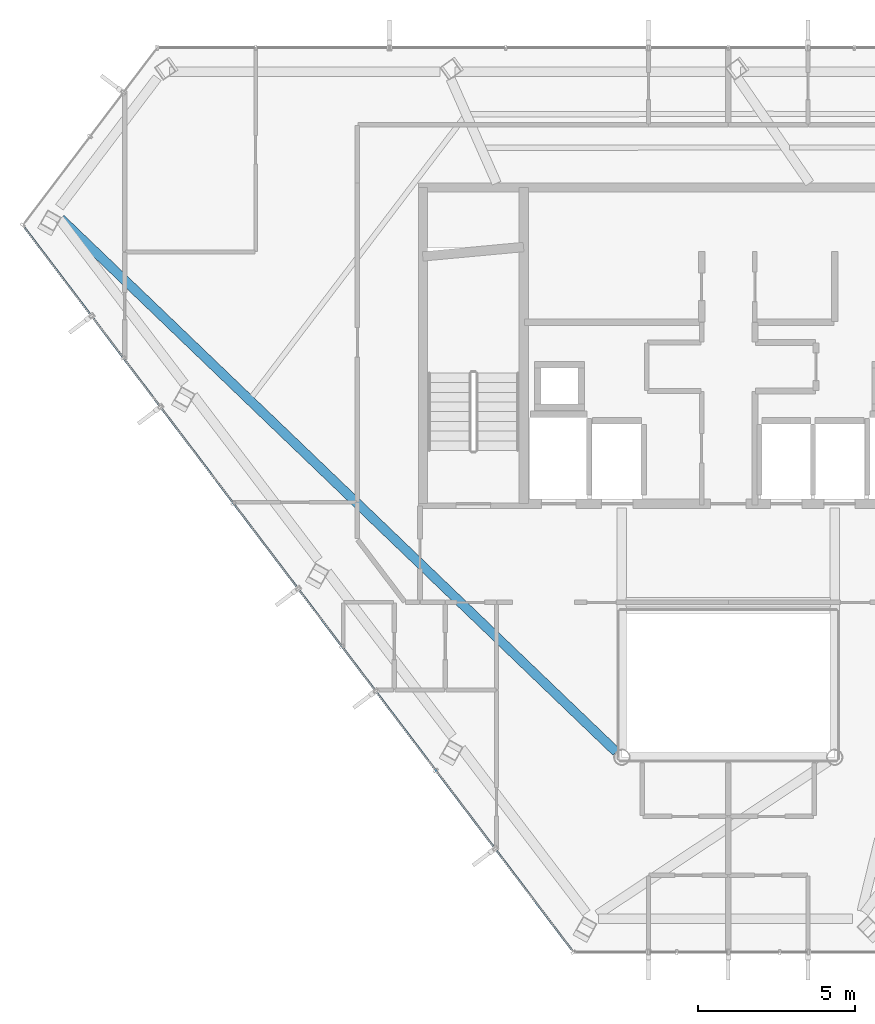
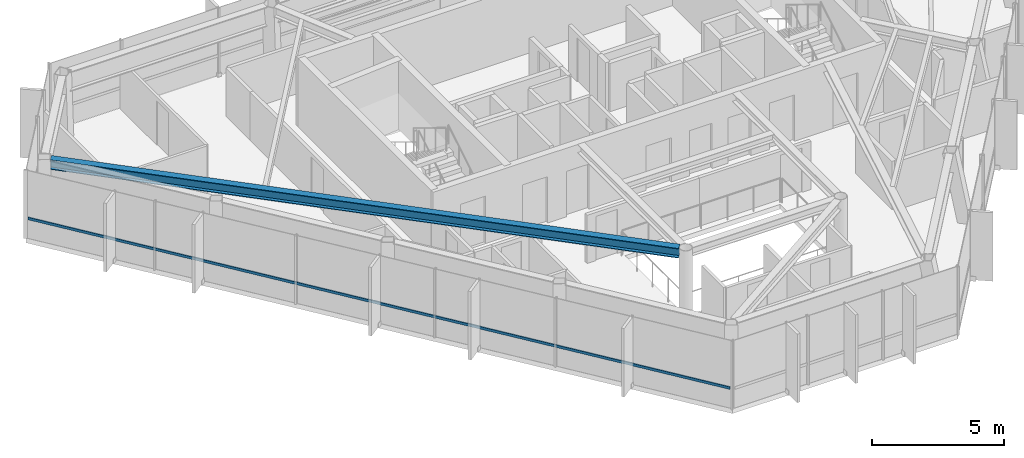
# One storey, part 4 of 26: 1 beam, 1 member, 1 element without a shape of its own.
"""IFC4 building model written with IfcOpenShell, lengths in metres."""

from ifc_helpers import new_model, si_unit, direction, frame, origin, origin_2d, place, context, subcontext, project, spatial, hollow_rectangle, i_section, extrude, material, layer, layer_set, material_profile, profile_set, type_object, element, aggregate, save


model = new_model("IFC4")

# Units and contexts
model_context = context("Model", 3, precision=1e-05, world=origin(), true_north=direction((0.0, 1.0)))
body_context = subcontext(model_context, "Body", "Model", "MODEL_VIEW")
ifc_project = project(units=[si_unit("LENGTHUNIT", "METRE"), si_unit("AREAUNIT", "SQUARE_METRE"), si_unit("VOLUMEUNIT", "CUBIC_METRE"), si_unit("PLANEANGLEUNIT", "RADIAN"), si_unit("MASSUNIT", "GRAM", prefix="KILO")], contexts=[model_context])

# Site, building, storey
site_placement = place(None, origin())
site = spatial("IfcSite", under=ifc_project, at=site_placement, CompositionType="ELEMENT")
building_placement = place(site_placement, origin())
building = spatial("IfcBuilding", under=site, at=building_placement, Name="Zarrinselat Tower", CompositionType="ELEMENT")
storey_placement = place(building_placement, frame((0.0, 0.0, 265.199951171875)))
storey = spatial("IfcBuildingStorey", under=building, at=storey_placement, Name="L67", CompositionType="ELEMENT", Elevation=265.199951171875)

# Beam
ifc_material_1 = material(Name="Steel S355J2", Category="steel")
ifc_material_profile_1 = material_profile(ifc_material_1, i_section(OverallWidth=0.300048828125, OverallDepth=0.449951171875, WebThickness=0.013916015625, FlangeThickness=0.02587890625, at=origin_2d()), Name="HEB 450")
ifc_profile_set_1 = profile_set([ifc_material_profile_1], Name="Steel S355J2")
beam_type = type_object("IfcBeamType", Name="BM-HEB450", PredefinedType="BEAM", material=ifc_profile_set_1)
beam_placement = place(storey_placement, frame((17.072509765625, 42.40771484375, 2.955078125), z_axis=(0.72143848732, -0.692478526031, 0.0), x_axis=(0.692478526031, 0.72143848732, 0.0)))
element("IfcBeam", 1, at=beam_placement, inside=storey, type_object=beam_type, Name="L67 Radial Primary Girder RG06", PredefinedType="BEAM", context=body_context, shape_type="SweptSolid", body=[
    extrude(i_section(OverallWidth=0.300048828125, OverallDepth=0.449951171875, WebThickness=0.013916015625, FlangeThickness=0.02587890625, at=origin_2d()), origin(), (0.0, 0.0, 1.0), 24.599609375),
])

# Curtain wall, member
ifc_material_2 = material(Name="Extruded Aluminium Alloy EN AW-6063 T6", Category="aluminium")
ifc_layer = layer(ifc_material_2, 0.169921875)
ifc_layer_set = layer_set([ifc_layer], Name="Extruded Aluminium Alloy EN AW-6063 T6")
curtain_wall_type = type_object("IfcCurtainWallType", Name="CWS-RES", PredefinedType="NOTDEFINED", material=ifc_layer_set)
curtain_wall_placement = place(storey_placement, origin())
curtain_wall = element("IfcCurtainWall", 2, at=curtain_wall_placement, inside=storey, type_object=curtain_wall_type, Name="L67 Unitised Curtain Wall CW-L67-E03", PredefinedType="NOTDEFINED")
ifc_material_3 = material(Name="Extruded Aluminium Alloy EN AW-6063 T6", Category="aluminium")
ifc_material_profile_2 = material_profile(ifc_material_3, hollow_rectangle(XDim=0.06005859375, YDim=0.1201171875, WallThickness=0.00390625, at=origin_2d()), Name="RHS 120x60x4")
ifc_profile_set_2 = profile_set([ifc_material_profile_2], Name="Extruded Aluminium Alloy EN AW-6063 T6")
member_type = type_object("IfcMemberType", Name="MEM-CW-TRN2", PredefinedType="USERDEFINED", material=ifc_profile_set_2)
member_placement = place(storey_placement, frame((15.914306640625, 42.127685546875, 0.949951171875), z_axis=(0.603861258611, -0.79708944313, 0.0), x_axis=(0.79708944313, 0.603861258611, 0.0)))
member = element("IfcMember", 3, at=member_placement, type_object=member_type, Name="CW-L67-E03 Transom 1", ObjectType="TRANSOM", PredefinedType="USERDEFINED", context=body_context, shape_type="SweptSolid", body=[
    extrude(hollow_rectangle(XDim=0.06005859375, YDim=0.1201171875, WallThickness=0.00390625, at=origin_2d()), origin(), (0.0, 0.0, 1.0), 28.961669921875),
])
aggregate(curtain_wall, [member])

save(model, "model.ifc")
